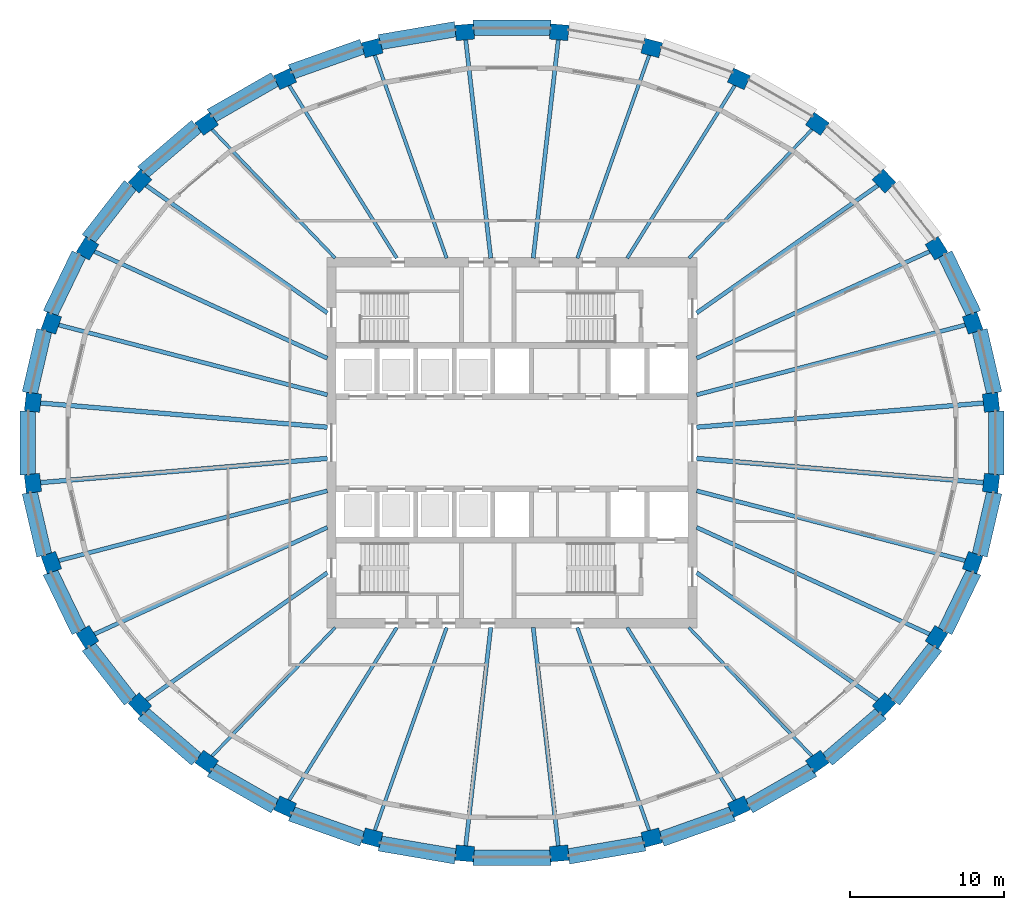
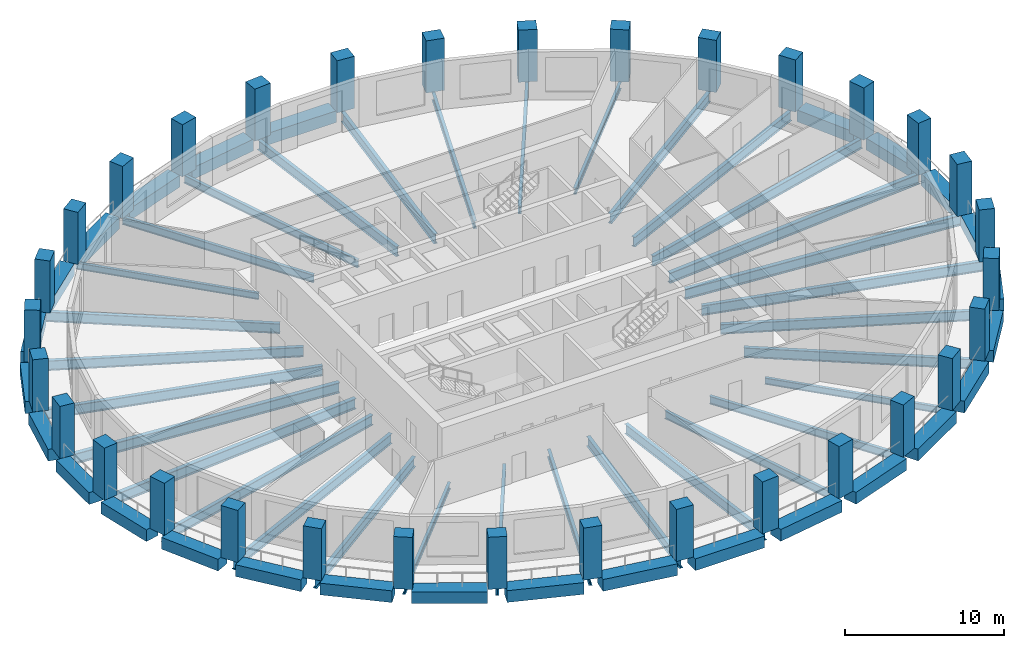
# One storey, part 1 of 11: 59 beams, 32 columns.
"""IFC4 building model written with IfcOpenShell, lengths in metres."""

from ifc_helpers import new_model, si_unit, direction, frame, origin, origin_2d, place, context, subcontext, project, spatial, rectangle, i_section, extrude, material, material_profile, profile_set, type_object, element, save


model = new_model("IFC4")

# Units and contexts
model_context = context("Model", 3, precision=1e-05, world=origin(), true_north=direction((0.0, 1.0)))
body_context = subcontext(model_context, "Body", "Model", "MODEL_VIEW")
ifc_project = project(units=[si_unit("LENGTHUNIT", "METRE"), si_unit("AREAUNIT", "SQUARE_METRE"), si_unit("VOLUMEUNIT", "CUBIC_METRE"), si_unit("PLANEANGLEUNIT", "RADIAN"), si_unit("MASSUNIT", "GRAM", prefix="KILO")], contexts=[model_context])

# Site, building, storey
site_placement = place(None, origin())
site = spatial("IfcSite", under=ifc_project, at=site_placement, CompositionType="ELEMENT")
building_placement = place(site_placement, origin())
building = spatial("IfcBuilding", under=site, at=building_placement, Name="Halqa Exchange Tower", CompositionType="ELEMENT")
storey_placement = place(building_placement, frame((0.0, 0.0, 234.89990234375)))
storey = spatial("IfcBuildingStorey", under=building, at=storey_placement, Name="L54", CompositionType="ELEMENT", Elevation=234.89990234375)

# Columns
ifc_material_1 = material(Name="Concrete C60/75", Category="concrete")
ifc_material_profile_1 = material_profile(ifc_material_1, rectangle(XDim=1.199951171875, YDim=1.0, at=origin_2d()), Name="1200 x 1000")
ifc_profile_set_1 = profile_set([ifc_material_profile_1], Name="Concrete C60/75")
column_type = type_object("IfcColumnType", Name="RC ring column 1200 x 1000 C60/75", PredefinedType="COLUMN", material=ifc_profile_set_1)
for number, where, z_axis, x_axis, name in (
    (1, (31.060302734375, 2.6220703125, 0.0), (0.0, 0.0, 1.0), (-0.114153454138, 0.993463129114, 0.0), "Ring column 1"),
    (2, (29.86669921875, 7.765625, 0.0), (0.0, 0.0, 1.0), (-0.333624233576, 0.942706142321, 0.0), "Ring column 2"),
    (3, (27.525146484375, 12.61083984375, 0.0), (0.0, 0.0, 1.0), (-0.529147901095, 0.848529609835, 0.0), "Ring column 3"),
    (4, (24.1259765625, 16.97119140625, 0.0), (0.0, 0.0, 1.0), (-0.691578612608, 0.722301199351, 0.0), "Ring column 4"),
    (5, (19.7998046875, 20.679443359375, 0.0), (0.0, 0.0, 1.0), (-0.817904771313, 0.575353617407, 0.0), "Ring column 5"),
    (6, (14.71240234375, 23.593017578125, 0.0), (0.0, 0.0, 1.0), (-0.909125641902, 0.416521988898, 0.0), "Ring column 6"),
    (7, (9.059814453125, 25.60009765625, 0.0), (0.0, 0.0, 1.0), (-0.967819503571, 0.251645402317, 0.0), "Ring column 7"),
    (8, (3.05908203125, 26.623046875, 0.0), (0.0, 0.0, 1.0), (-0.996455518985, 0.084121333105, 0.0), "Ring column 8"),
    (9, (-3.05908203125, 26.623046875, 0.0), (0.0, 0.0, 1.0), (-0.996455518985, -0.084121333105, 0.0), "Ring column 9"),
    (10, (-9.059814453125, 25.60009765625, 0.0), (0.0, 0.0, 1.0), (-0.967819503571, -0.251645402317, 0.0), "Ring column 10"),
    (11, (-14.71240234375, 23.593017578125, 0.0), (0.0, 0.0, 1.0), (-0.909125641902, -0.416521988898, 0.0), "Ring column 11"),
    (12, (-19.7998046875, 20.679443359375, 0.0), (0.0, 0.0, 1.0), (-0.817904771313, -0.575353617407, 0.0), "Ring column 12"),
    (13, (-24.1259765625, 16.97119140625, 0.0), (0.0, 0.0, 1.0), (-0.691578612608, -0.722301199351, 0.0), "Ring column 13"),
    (14, (-27.525146484375, 12.61083984375, 0.0), (0.0, 0.0, 1.0), (-0.529147901095, -0.848529609835, 0.0), "Ring column 14"),
    (15, (-29.86669921875, 7.765625, 0.0), (0.0, 0.0, 1.0), (-0.333624233576, -0.942706142321, 0.0), "Ring column 15"),
    (16, (-31.060302734375, 2.6220703125, 0.0), (0.0, 0.0, 1.0), (-0.114153454138, -0.993463129114, 0.0), "Ring column 16"),
    (17, (-31.060302734375, -2.6220703125, 0.0), (0.0, 0.0, 1.0), (0.114153454138, -0.993463129114, 0.0), "Ring column 17"),
    (18, (-29.86669921875, -7.765625, 0.0), (0.0, 0.0, 1.0), (0.333624233576, -0.942706142321, 0.0), "Ring column 18"),
    (19, (-27.525146484375, -12.61083984375, 0.0), (0.0, 0.0, 1.0), (0.529147901095, -0.848529609835, 0.0), "Ring column 19"),
    (20, (-24.1259765625, -16.97119140625, 0.0), (0.0, 0.0, 1.0), (0.691578612608, -0.722301199351, 0.0), "Ring column 20"),
    (21, (-19.7998046875, -20.679443359375, 0.0), (0.0, 0.0, 1.0), (0.817904771313, -0.575353617407, 0.0), "Ring column 21"),
    (22, (-14.71240234375, -23.593017578125, 0.0), (0.0, 0.0, 1.0), (0.909125641902, -0.416521988898, 0.0), "Ring column 22"),
    (23, (-9.059814453125, -25.60009765625, 0.0), (0.0, 0.0, 1.0), (0.967819503571, -0.251645402317, 0.0), "Ring column 23"),
    (24, (-3.05908203125, -26.623046875, 0.0), (0.0, 0.0, 1.0), (0.996455518985, -0.084121333105, 0.0), "Ring column 24"),
    (25, (3.05908203125, -26.623046875, 0.0), (0.0, 0.0, 1.0), (0.996455518985, 0.084121333105, 0.0), "Ring column 25"),
    (26, (9.059814453125, -25.60009765625, 0.0), (0.0, 0.0, 1.0), (0.967819503571, 0.251645402317, 0.0), "Ring column 26"),
    (27, (14.71240234375, -23.593017578125, 0.0), (0.0, 0.0, 1.0), (0.909125641902, 0.416521988898, 0.0), "Ring column 27"),
    (28, (19.7998046875, -20.679443359375, 0.0), (0.0, 0.0, 1.0), (0.817904771313, 0.575353617407, 0.0), "Ring column 28"),
    (29, (24.1259765625, -16.97119140625, 0.0), (0.0, 0.0, 1.0), (0.691578612608, 0.722301199351, 0.0), "Ring column 29"),
    (30, (27.525146484375, -12.61083984375, 0.0), (0.0, 0.0, 1.0), (0.529147901095, 0.848529609835, 0.0), "Ring column 30"),
    (31, (29.86669921875, -7.765625, 0.0), (0.0, 0.0, 1.0), (0.333624233576, 0.942706142321, 0.0), "Ring column 31"),
    (32, (31.060302734375, -2.6220703125, 0.0), (0.0, 0.0, 1.0), (0.114153454138, 0.993463129114, 0.0), "Ring column 32"),
):
    element("IfcColumn", number, at=place(storey_placement, frame(where, z_axis=z_axis, x_axis=x_axis)), inside=storey, type_object=column_type, Name=name, PredefinedType="COLUMN", context=body_context, shape_type="SweptSolid", body=[
        extrude(rectangle(XDim=1.199951171875, YDim=1.0, at=origin_2d()), origin(), (0.0, 0.0, 1.0), 4.0),
    ])

# Beams
ifc_material_2 = material(Name="Steel S355", Category="steel")
ifc_material_profile_2 = material_profile(ifc_material_2, i_section(OverallWidth=0.300048828125, OverallDepth=0.800048828125, WebThickness=0.017578125, FlangeThickness=0.032958984375, FilletRadius=0.030029296875, at=origin_2d()), Name="HEB 800")
ifc_profile_set_2 = profile_set([ifc_material_profile_2], Name="Steel S355")
beam_type_1 = type_object("IfcBeamType", Name="Floor beam HEB 800", PredefinedType="BEAM", material=ifc_profile_set_2)
for number, where, z_axis, x_axis, name in (
    (33, (11.972412109375, 1.0107421875, -0.699951171875), (0.996455378733, 0.084122994438, 0.0), (-0.084122994438, 0.996455378733, 0.0), "Radial beam 1"),
    (34, (-11.972412109375, 1.0107421875, -0.699951171875), (-0.996455378733, 0.084122994438, 0.0), (-0.084122994438, -0.996455378733, 0.0), "Radial beam 16"),
    (35, (-11.972412109375, -1.0107421875, -0.699951171875), (-0.996455378733, -0.084122994438, 0.0), (0.084122994438, -0.996455378733, 0.0), "Radial beam 17"),
    (36, (11.972412109375, -1.0107421875, -0.699951171875), (0.996455378733, -0.084122994438, 0.0), (0.084122994438, 0.996455378733, 0.0), "Radial beam 32"),
):
    element("IfcBeam", number, at=place(storey_placement, frame(where, z_axis=z_axis, x_axis=x_axis)), inside=storey, type_object=beam_type_1, Name=name, PredefinedType="BEAM", context=body_context, shape_type="SweptSolid", body=[
        extrude(i_section(OverallWidth=0.300048828125, OverallDepth=0.800048828125, WebThickness=0.017578125, FlangeThickness=0.032958984375, FilletRadius=0.030029296875, at=origin_2d()), origin(), (0.0, 0.0, 1.0), 19.12548828125),
    ])
ifc_material_profile_3 = material_profile(ifc_material_2, i_section(OverallWidth=0.199951171875, OverallDepth=0.5, WebThickness=0.01025390625, FlangeThickness=0.01611328125, FilletRadius=0.02099609375, at=origin_2d()), Name="IPE 500")
ifc_profile_set_3 = profile_set([ifc_material_profile_3], Name="Steel S355")
beam_type_2 = type_object("IfcBeamType", Name="Floor beam IPE 500", PredefinedType="BEAM", material=ifc_profile_set_3)
for number, where, z_axis, x_axis, name in (
    (37, (11.46337890625, 11.972900390625, -0.5498046875), (0.691589578554, 0.722290699674, 0.0), (-0.722290699674, 0.691589578554, 0.0), "Radial beam 5"),
    (38, (-11.46337890625, 11.972900390625, -0.5498046875), (-0.691589578554, 0.722290699674, 0.0), (-0.722290699674, -0.691589578554, 0.0), "Radial beam 12"),
    (39, (-11.46337890625, -11.972900390625, -0.5498046875), (-0.691589578554, -0.722290699674, 0.0), (0.722290699674, -0.691589578554, 0.0), "Radial beam 21"),
    (40, (11.46337890625, -11.972900390625, -0.5498046875), (0.691589578554, -0.722290699674, 0.0), (0.722290699674, 0.691589578554, 0.0), "Radial beam 28"),
):
    element("IfcBeam", number, at=place(storey_placement, frame(where, z_axis=z_axis, x_axis=x_axis)), inside=storey, type_object=beam_type_2, Name=name, PredefinedType="BEAM", context=body_context, shape_type="SweptSolid", body=[
        extrude(i_section(OverallWidth=0.199951171875, OverallDepth=0.5, WebThickness=0.01025390625, FlangeThickness=0.01611328125, FilletRadius=0.02099609375, at=origin_2d()), origin(), (0.0, 0.0, 1.0), 11.991943359375),
    ])
ifc_material_profile_4 = material_profile(ifc_material_2, i_section(OverallWidth=0.219970703125, OverallDepth=0.60009765625, WebThickness=0.011962890625, FlangeThickness=0.01904296875, FilletRadius=0.02392578125, at=origin_2d()), Name="IPE 600")
ifc_profile_set_4 = profile_set([ifc_material_profile_4], Name="Steel S355")
beam_type_3 = type_object("IfcBeamType", Name="Floor beam IPE 600", PredefinedType="BEAM", material=ifc_profile_set_4)
beam_1_placement = place(storey_placement, frame((7.466064453125, 11.972412109375, -0.599853515625), z_axis=(0.529130437453, 0.848540500012, 0.0), x_axis=(-0.848540500012, 0.529130437453, 0.0)))
element("IfcBeam", 41, at=beam_1_placement, inside=storey, type_object=beam_type_3, Name="Radial beam 6", PredefinedType="BEAM", context=body_context, shape_type="SweptSolid", body=[
    extrude(i_section(OverallWidth=0.219970703125, OverallDepth=0.60009765625, WebThickness=0.011962890625, FlangeThickness=0.01904296875, FilletRadius=0.02392578125, at=origin_2d()), origin(), (0.0, 0.0, 1.0), 13.623779296875),
])
for number, where, z_axis, x_axis, name in (
    (42, (4.23681640625, 11.9716796875, -0.599853515625), (0.333629022413, 0.942704447536, 0.0), (-0.942704447536, 0.333629022413, 0.0), "Radial beam 7"),
    (43, (-4.23681640625, 11.9716796875, -0.599853515625), (-0.333629022413, 0.942704447536, 0.0), (-0.942704447536, -0.333629022413, 0.0), "Radial beam 10"),
):
    element("IfcBeam", number, at=place(storey_placement, frame(where, z_axis=z_axis, x_axis=x_axis)), inside=storey, type_object=beam_type_3, Name=name, PredefinedType="BEAM", context=body_context, shape_type="SweptSolid", body=[
        extrude(i_section(OverallWidth=0.219970703125, OverallDepth=0.60009765625, WebThickness=0.011962890625, FlangeThickness=0.01904296875, FilletRadius=0.02392578125, at=origin_2d()), origin(), (0.0, 0.0, 1.0), 14.380126953125),
    ])
for number, where, z_axis, x_axis, name in (
    (44, (-7.466064453125, 11.972412109375, -0.599853515625), (-0.529130437453, 0.848540500012, 0.0), (-0.848540500012, -0.529130437453, 0.0), "Radial beam 11"),
    (45, (-7.466064453125, -11.972412109375, -0.599853515625), (-0.529130437453, -0.848540500012, 0.0), (0.848540500012, -0.529130437453, 0.0), "Radial beam 22"),
):
    element("IfcBeam", number, at=place(storey_placement, frame(where, z_axis=z_axis, x_axis=x_axis)), inside=storey, type_object=beam_type_3, Name=name, PredefinedType="BEAM", context=body_context, shape_type="SweptSolid", body=[
        extrude(i_section(OverallWidth=0.219970703125, OverallDepth=0.60009765625, WebThickness=0.011962890625, FlangeThickness=0.01904296875, FilletRadius=0.02392578125, at=origin_2d()), origin(), (0.0, 0.0, 1.0), 13.623779296875),
    ])
for number, where, z_axis, x_axis, name in (
    (46, (-4.23681640625, -11.9716796875, -0.599853515625), (-0.333629022413, -0.942704447536, 0.0), (0.942704447536, -0.333629022413, 0.0), "Radial beam 23"),
    (47, (4.23681640625, -11.9716796875, -0.599853515625), (0.333629022413, -0.942704447536, 0.0), (0.942704447536, 0.333629022413, 0.0), "Radial beam 26"),
):
    element("IfcBeam", number, at=place(storey_placement, frame(where, z_axis=z_axis, x_axis=x_axis)), inside=storey, type_object=beam_type_3, Name=name, PredefinedType="BEAM", context=body_context, shape_type="SweptSolid", body=[
        extrude(i_section(OverallWidth=0.219970703125, OverallDepth=0.60009765625, WebThickness=0.011962890625, FlangeThickness=0.01904296875, FilletRadius=0.02392578125, at=origin_2d()), origin(), (0.0, 0.0, 1.0), 14.380126953125),
    ])
beam_2_placement = place(storey_placement, frame((7.466064453125, -11.972412109375, -0.599853515625), z_axis=(0.529130437453, -0.848540500012, 0.0), x_axis=(0.848540500012, 0.529130437453, 0.0)))
element("IfcBeam", 48, at=beam_2_placement, inside=storey, type_object=beam_type_3, Name="Radial beam 27", PredefinedType="BEAM", context=body_context, shape_type="SweptSolid", body=[
    extrude(i_section(OverallWidth=0.219970703125, OverallDepth=0.60009765625, WebThickness=0.011962890625, FlangeThickness=0.01904296875, FilletRadius=0.02392578125, at=origin_2d()), origin(), (0.0, 0.0, 1.0), 13.623779296875),
])
ifc_material_profile_5 = material_profile(ifc_material_2, i_section(OverallWidth=0.264892578125, OverallDepth=0.7529296875, WebThickness=0.01318359375, FlangeThickness=0.01708984375, FilletRadius=0.01708984375, at=origin_2d()), Name="IPE 750x147")
ifc_profile_set_5 = profile_set([ifc_material_profile_5], Name="Steel S355")
beam_type_4 = type_object("IfcBeamType", Name="Floor beam IPE 750x147", PredefinedType="BEAM", material=ifc_profile_set_5)
beam_3_placement = place(storey_placement, frame((11.972412109375, 5.485107421875, -0.676513671875), z_axis=(0.909127135445, 0.416518728989, 0.0), x_axis=(-0.416518728989, 0.909127135445, 0.0)))
element("IfcBeam", 49, at=beam_3_placement, inside=storey, type_object=beam_type_4, Name="Radial beam 3", PredefinedType="BEAM", context=body_context, shape_type="SweptSolid", body=[
    extrude(i_section(OverallWidth=0.264892578125, OverallDepth=0.7529296875, WebThickness=0.01318359375, FlangeThickness=0.01708984375, FilletRadius=0.01708984375, at=origin_2d()), origin(), (0.0, 0.0, 1.0), 17.063232421875),
])
beam_4_placement = place(storey_placement, frame((11.97216796875, 8.421630859375, -0.676513671875), z_axis=(0.817906711766, 0.57535085891, 0.0), x_axis=(-0.57535085891, 0.817906711766, 0.0)))
element("IfcBeam", 50, at=beam_4_placement, inside=storey, type_object=beam_type_4, Name="Radial beam 4", PredefinedType="BEAM", context=body_context, shape_type="SweptSolid", body=[
    extrude(i_section(OverallWidth=0.264892578125, OverallDepth=0.7529296875, WebThickness=0.01318359375, FlangeThickness=0.01708984375, FilletRadius=0.01708984375, at=origin_2d()), origin(), (0.0, 0.0, 1.0), 14.80712890625),
])
for number, where, z_axis, x_axis, name in (
    (51, (1.375732421875, 11.972900390625, -0.676513671875), (0.114161028544, 0.993462258751, 0.0), (-0.993462258751, 0.114161028544, 0.0), "Radial beam 8"),
    (52, (-1.375732421875, 11.972900390625, -0.676513671875), (-0.114161028544, 0.993462258751, 0.0), (-0.993462258751, -0.114161028544, 0.0), "Radial beam 9"),
):
    element("IfcBeam", number, at=place(storey_placement, frame(where, z_axis=z_axis, x_axis=x_axis)), inside=storey, type_object=beam_type_4, Name=name, PredefinedType="BEAM", context=body_context, shape_type="SweptSolid", body=[
        extrude(i_section(OverallWidth=0.264892578125, OverallDepth=0.7529296875, WebThickness=0.01318359375, FlangeThickness=0.01708984375, FilletRadius=0.01708984375, at=origin_2d()), origin(), (0.0, 0.0, 1.0), 14.66845703125),
    ])
beam_5_placement = place(storey_placement, frame((-11.97216796875, 8.421630859375, -0.676513671875), z_axis=(-0.817906711766, 0.57535085891, 0.0), x_axis=(-0.57535085891, -0.817906711766, 0.0)))
element("IfcBeam", 53, at=beam_5_placement, inside=storey, type_object=beam_type_4, Name="Radial beam 13", PredefinedType="BEAM", context=body_context, shape_type="SweptSolid", body=[
    extrude(i_section(OverallWidth=0.264892578125, OverallDepth=0.7529296875, WebThickness=0.01318359375, FlangeThickness=0.01708984375, FilletRadius=0.01708984375, at=origin_2d()), origin(), (0.0, 0.0, 1.0), 14.80712890625),
])
for number, where, z_axis, x_axis, name in (
    (54, (-11.972412109375, 5.485107421875, -0.676513671875), (-0.909127135445, 0.416518728989, 0.0), (-0.416518728989, -0.909127135445, 0.0), "Radial beam 14"),
    (55, (-11.972412109375, -5.485107421875, -0.676513671875), (-0.909127135445, -0.416518728989, 0.0), (0.416518728989, -0.909127135445, 0.0), "Radial beam 19"),
):
    element("IfcBeam", number, at=place(storey_placement, frame(where, z_axis=z_axis, x_axis=x_axis)), inside=storey, type_object=beam_type_4, Name=name, PredefinedType="BEAM", context=body_context, shape_type="SweptSolid", body=[
        extrude(i_section(OverallWidth=0.264892578125, OverallDepth=0.7529296875, WebThickness=0.01318359375, FlangeThickness=0.01708984375, FilletRadius=0.01708984375, at=origin_2d()), origin(), (0.0, 0.0, 1.0), 17.063232421875),
    ])
beam_6_placement = place(storey_placement, frame((-11.97216796875, -8.421630859375, -0.676513671875), z_axis=(-0.817906711766, -0.57535085891, 0.0), x_axis=(0.57535085891, -0.817906711766, 0.0)))
element("IfcBeam", 56, at=beam_6_placement, inside=storey, type_object=beam_type_4, Name="Radial beam 20", PredefinedType="BEAM", context=body_context, shape_type="SweptSolid", body=[
    extrude(i_section(OverallWidth=0.264892578125, OverallDepth=0.7529296875, WebThickness=0.01318359375, FlangeThickness=0.01708984375, FilletRadius=0.01708984375, at=origin_2d()), origin(), (0.0, 0.0, 1.0), 14.80712890625),
])
for number, where, z_axis, x_axis, name in (
    (57, (-1.375732421875, -11.972900390625, -0.676513671875), (-0.114161028544, -0.993462258751, 0.0), (0.993462258751, -0.114161028544, 0.0), "Radial beam 24"),
    (58, (1.375732421875, -11.972900390625, -0.676513671875), (0.114161028544, -0.993462258751, 0.0), (0.993462258751, 0.114161028544, 0.0), "Radial beam 25"),
):
    element("IfcBeam", number, at=place(storey_placement, frame(where, z_axis=z_axis, x_axis=x_axis)), inside=storey, type_object=beam_type_4, Name=name, PredefinedType="BEAM", context=body_context, shape_type="SweptSolid", body=[
        extrude(i_section(OverallWidth=0.264892578125, OverallDepth=0.7529296875, WebThickness=0.01318359375, FlangeThickness=0.01708984375, FilletRadius=0.01708984375, at=origin_2d()), origin(), (0.0, 0.0, 1.0), 14.66845703125),
    ])
beam_7_placement = place(storey_placement, frame((11.97216796875, -8.421630859375, -0.676513671875), z_axis=(0.817906711766, -0.57535085891, 0.0), x_axis=(0.57535085891, 0.817906711766, 0.0)))
element("IfcBeam", 59, at=beam_7_placement, inside=storey, type_object=beam_type_4, Name="Radial beam 29", PredefinedType="BEAM", context=body_context, shape_type="SweptSolid", body=[
    extrude(i_section(OverallWidth=0.264892578125, OverallDepth=0.7529296875, WebThickness=0.01318359375, FlangeThickness=0.01708984375, FilletRadius=0.01708984375, at=origin_2d()), origin(), (0.0, 0.0, 1.0), 14.80712890625),
])
beam_8_placement = place(storey_placement, frame((11.972412109375, -5.485107421875, -0.676513671875), z_axis=(0.909127135445, -0.416518728989, 0.0), x_axis=(0.416518728989, 0.909127135445, 0.0)))
element("IfcBeam", 60, at=beam_8_placement, inside=storey, type_object=beam_type_4, Name="Radial beam 30", PredefinedType="BEAM", context=body_context, shape_type="SweptSolid", body=[
    extrude(i_section(OverallWidth=0.264892578125, OverallDepth=0.7529296875, WebThickness=0.01318359375, FlangeThickness=0.01708984375, FilletRadius=0.01708984375, at=origin_2d()), origin(), (0.0, 0.0, 1.0), 17.063232421875),
])
ifc_material_profile_6 = material_profile(ifc_material_2, i_section(OverallWidth=0.26806640625, OverallDepth=0.77001953125, WebThickness=0.015625, FlangeThickness=0.025390625, FilletRadius=0.01708984375, at=origin_2d()), Name="IPE 750x196")
ifc_profile_set_6 = profile_set([ifc_material_profile_6], Name="Steel S355")
beam_type_5 = type_object("IfcBeamType", Name="Floor beam IPE 750x196", PredefinedType="BEAM", material=ifc_profile_set_6)
for number, where, z_axis, x_axis, name in (
    (61, (11.97119140625, 3.112548828125, -0.684814453125), (0.967819542674, 0.251645251931, 0.0), (-0.251645251931, 0.967819542674, 0.0), "Radial beam 2"),
    (62, (-11.97119140625, 3.112548828125, -0.684814453125), (-0.967819542674, 0.251645251931, 0.0), (-0.251645251931, -0.967819542674, 0.0), "Radial beam 15"),
    (63, (-11.97119140625, -3.112548828125, -0.684814453125), (-0.967819542674, -0.251645251931, 0.0), (0.251645251931, -0.967819542674, 0.0), "Radial beam 18"),
    (64, (11.97119140625, -3.112548828125, -0.684814453125), (0.967819542674, -0.251645251931, 0.0), (0.251645251931, 0.967819542674, 0.0), "Radial beam 31"),
):
    element("IfcBeam", number, at=place(storey_placement, frame(where, z_axis=z_axis, x_axis=x_axis)), inside=storey, type_object=beam_type_5, Name=name, PredefinedType="BEAM", context=body_context, shape_type="SweptSolid", body=[
        extrude(i_section(OverallWidth=0.26806640625, OverallDepth=0.77001953125, WebThickness=0.015625, FlangeThickness=0.025390625, FilletRadius=0.01708984375, at=origin_2d()), origin(), (0.0, 0.0, 1.0), 18.454833984375),
    ])
ifc_material_profile_7 = material_profile(ifc_material_1, rectangle(XDim=1.0, YDim=0.89990234375, at=origin_2d()), Name="1000 x 900")
ifc_profile_set_7 = profile_set([ifc_material_profile_7], Name="Concrete C60/75")
beam_type_6 = type_object("IfcBeamType", Name="RC spandrel beam 1000 x 900 C60/75", PredefinedType="SPANDREL", material=ifc_profile_set_7)
beam_9_placement = place(storey_placement, frame((31.2705078125, 3.21240234375, -0.449951171875), z_axis=(-0.226060530608, 0.974113256506, 0.0), x_axis=(-0.974113256506, -0.226060530608, 0.0)))
element("IfcBeam", 65, at=beam_9_placement, inside=storey, type_object=beam_type_6, Name="Spandrel 1", PredefinedType="SPANDREL", context=body_context, shape_type="SweptSolid", body=[
    extrude(rectangle(XDim=1.0, YDim=0.89990234375, at=origin_2d()), origin(), (0.0, 0.0, 1.0), 4.18603515625),
])
beam_10_placement = place(storey_placement, frame((29.94384765625, 8.368408203125, -0.449951171875), z_axis=(-0.435107144785, 0.900378682865, 0.0), x_axis=(-0.900378682865, -0.435107144785, 0.0)))
element("IfcBeam", 66, at=beam_10_placement, inside=storey, type_object=beam_type_6, Name="Spandrel 2", PredefinedType="SPANDREL", context=body_context, shape_type="SweptSolid", body=[
    extrude(rectangle(XDim=1.0, YDim=0.89990234375, at=origin_2d()), origin(), (0.0, 0.0, 1.0), 4.28955078125),
])
beam_11_placement = place(storey_placement, frame((2.519287109375, 26.914794921875, -0.449951171875), z_axis=(-1.0, 0.0, 0.0), x_axis=(0.0, -1.0, 0.0)))
element("IfcBeam", 67, at=beam_11_placement, inside=storey, type_object=beam_type_6, Name="Spandrel 8", PredefinedType="SPANDREL", context=body_context, shape_type="SweptSolid", body=[
    extrude(rectangle(XDim=1.0, YDim=0.89990234375, at=origin_2d()), origin(), (0.0, 0.0, 1.0), 5.03857421875),
])
beam_12_placement = place(storey_placement, frame((-3.658203125, 26.818603515625, -0.449951171875), z_axis=(-0.985770147747, -0.16809882751, 0.0), x_axis=(0.16809882751, -0.985770147747, 0.0)))
element("IfcBeam", 68, at=beam_12_placement, inside=storey, type_object=beam_type_6, Name="Spandrel 9", PredefinedType="SPANDREL", context=body_context, shape_type="SweptSolid", body=[
    extrude(rectangle(XDim=1.0, YDim=0.89990234375, at=origin_2d()), origin(), (0.0, 0.0, 1.0), 5.00634765625),
])
beam_13_placement = place(storey_placement, frame((-9.70068359375, 25.688232421875, -0.449951171875), z_axis=(-0.942371691237, -0.334567774234, 0.0), x_axis=(0.334567774234, -0.942371691237, 0.0)))
element("IfcBeam", 69, at=beam_13_placement, inside=storey, type_object=beam_type_6, Name="Spandrel 10", PredefinedType="SPANDREL", context=body_context, shape_type="SweptSolid", body=[
    extrude(rectangle(XDim=1.0, YDim=0.89990234375, at=origin_2d()), origin(), (0.0, 0.0, 1.0), 4.916015625),
])
beam_14_placement = place(storey_placement, frame((-15.372314453125, 23.566162109375, -0.449951171875), z_axis=(-0.867742640568, -0.497013792304, 0.0), x_axis=(0.497013792304, -0.867742640568, 0.0)))
element("IfcBeam", 70, at=beam_14_placement, inside=storey, type_object=beam_type_6, Name="Spandrel 11", PredefinedType="SPANDREL", context=body_context, shape_type="SweptSolid", body=[
    extrude(rectangle(XDim=1.0, YDim=0.89990234375, at=origin_2d()), origin(), (0.0, 0.0, 1.0), 4.777099609375),
])
beam_15_placement = place(storey_placement, frame((-20.452880859375, 20.5322265625, -0.449951171875), z_axis=(-0.759252865995, -0.65079573253, 0.0), x_axis=(0.65079573253, -0.759252865995, 0.0)))
element("IfcBeam", 71, at=beam_15_placement, inside=storey, type_object=beam_type_6, Name="Spandrel 12", PredefinedType="SPANDREL", context=body_context, shape_type="SweptSolid", body=[
    extrude(rectangle(XDim=1.0, YDim=0.89990234375, at=origin_2d()), origin(), (0.0, 0.0, 1.0), 4.6123046875),
])
beam_16_placement = place(storey_placement, frame((-24.744140625, 16.70361328125, -0.449951171875), z_axis=(-0.61480064822, -0.788682548906, 0.0), x_axis=(0.788682548906, -0.61480064822, 0.0)))
element("IfcBeam", 72, at=beam_16_placement, inside=storey, type_object=beam_type_6, Name="Spandrel 13", PredefinedType="SPANDREL", context=body_context, shape_type="SweptSolid", body=[
    extrude(rectangle(XDim=1.0, YDim=0.89990234375, at=origin_2d()), origin(), (0.0, 0.0, 1.0), 4.439697265625),
])
beam_17_placement = place(storey_placement, frame((-28.077392578125, 12.230712890625, -0.449951171875), z_axis=(-0.435107144785, -0.900378682865, 0.0), x_axis=(0.900378682865, -0.435107144785, 0.0)))
element("IfcBeam", 73, at=beam_17_placement, inside=storey, type_object=beam_type_6, Name="Spandrel 14", PredefinedType="SPANDREL", context=body_context, shape_type="SweptSolid", body=[
    extrude(rectangle(XDim=1.0, YDim=0.89990234375, at=origin_2d()), origin(), (0.0, 0.0, 1.0), 4.28955078125),
])
beam_18_placement = place(storey_placement, frame((-30.32421875, 7.2900390625, -0.449951171875), z_axis=(-0.226060530608, -0.974113256506, 0.0), x_axis=(0.974113256506, -0.226060530608, 0.0)))
element("IfcBeam", 74, at=beam_18_placement, inside=storey, type_object=beam_type_6, Name="Spandrel 15", PredefinedType="SPANDREL", context=body_context, shape_type="SweptSolid", body=[
    extrude(rectangle(XDim=1.0, YDim=0.89990234375, at=origin_2d()), origin(), (0.0, 0.0, 1.0), 4.18603515625),
])
beam_19_placement = place(storey_placement, frame((-31.400634765625, 2.07421875, -0.449951171875), z_axis=(0.0, -1.0, 0.0), x_axis=(1.0, 0.0, 0.0)))
element("IfcBeam", 75, at=beam_19_placement, inside=storey, type_object=beam_type_6, Name="Spandrel 16", PredefinedType="SPANDREL", context=body_context, shape_type="SweptSolid", body=[
    extrude(rectangle(XDim=1.0, YDim=0.89990234375, at=origin_2d()), origin(), (0.0, 0.0, 1.0), 4.1484375),
])
beam_20_placement = place(storey_placement, frame((-31.2705078125, -3.21240234375, -0.449951171875), z_axis=(0.226060530608, -0.974113256506, 0.0), x_axis=(0.974113256506, 0.226060530608, 0.0)))
element("IfcBeam", 76, at=beam_20_placement, inside=storey, type_object=beam_type_6, Name="Spandrel 17", PredefinedType="SPANDREL", context=body_context, shape_type="SweptSolid", body=[
    extrude(rectangle(XDim=1.0, YDim=0.89990234375, at=origin_2d()), origin(), (0.0, 0.0, 1.0), 4.18603515625),
])
beam_21_placement = place(storey_placement, frame((-29.94384765625, -8.368408203125, -0.449951171875), z_axis=(0.435107144785, -0.900378682865, 0.0), x_axis=(0.900378682865, 0.435107144785, 0.0)))
element("IfcBeam", 77, at=beam_21_placement, inside=storey, type_object=beam_type_6, Name="Spandrel 18", PredefinedType="SPANDREL", context=body_context, shape_type="SweptSolid", body=[
    extrude(rectangle(XDim=1.0, YDim=0.89990234375, at=origin_2d()), origin(), (0.0, 0.0, 1.0), 4.28955078125),
])
beam_22_placement = place(storey_placement, frame((-27.4736328125, -13.2021484375, -0.449951171875), z_axis=(0.61480064822, -0.788682548906, 0.0), x_axis=(0.788682548906, 0.61480064822, 0.0)))
element("IfcBeam", 78, at=beam_22_placement, inside=storey, type_object=beam_type_6, Name="Spandrel 19", PredefinedType="SPANDREL", context=body_context, shape_type="SweptSolid", body=[
    extrude(rectangle(XDim=1.0, YDim=0.89990234375, at=origin_2d()), origin(), (0.0, 0.0, 1.0), 4.439697265625),
])
beam_23_placement = place(storey_placement, frame((-23.954833984375, -17.530517578125, -0.449951171875), z_axis=(0.759252865995, -0.65079573253, 0.0), x_axis=(0.65079573253, 0.759252865995, 0.0)))
element("IfcBeam", 79, at=beam_23_placement, inside=storey, type_object=beam_type_6, Name="Spandrel 20", PredefinedType="SPANDREL", context=body_context, shape_type="SweptSolid", body=[
    extrude(rectangle(XDim=1.0, YDim=0.89990234375, at=origin_2d()), origin(), (0.0, 0.0, 1.0), 4.6123046875),
])
beam_24_placement = place(storey_placement, frame((-19.517578125, -21.19189453125, -0.449951171875), z_axis=(0.867742640568, -0.497013792304, 0.0), x_axis=(0.497013792304, 0.867742640568, 0.0)))
element("IfcBeam", 80, at=beam_24_placement, inside=storey, type_object=beam_type_6, Name="Spandrel 21", PredefinedType="SPANDREL", context=body_context, shape_type="SweptSolid", body=[
    extrude(rectangle(XDim=1.0, YDim=0.89990234375, at=origin_2d()), origin(), (0.0, 0.0, 1.0), 4.777099609375),
])
beam_25_placement = place(storey_placement, frame((-14.33349609375, -24.04345703125, -0.449951171875), z_axis=(0.942371691237, -0.334567774234, 0.0), x_axis=(0.334567774234, 0.942371691237, 0.0)))
element("IfcBeam", 81, at=beam_25_placement, inside=storey, type_object=beam_type_6, Name="Spandrel 22", PredefinedType="SPANDREL", context=body_context, shape_type="SweptSolid", body=[
    extrude(rectangle(XDim=1.0, YDim=0.89990234375, at=origin_2d()), origin(), (0.0, 0.0, 1.0), 4.916015625),
])
beam_26_placement = place(storey_placement, frame((-8.59326171875, -25.97705078125, -0.449951171875), z_axis=(0.985770147747, -0.16809882751, 0.0), x_axis=(0.16809882751, 0.985770147747, 0.0)))
element("IfcBeam", 82, at=beam_26_placement, inside=storey, type_object=beam_type_6, Name="Spandrel 23", PredefinedType="SPANDREL", context=body_context, shape_type="SweptSolid", body=[
    extrude(rectangle(XDim=1.0, YDim=0.89990234375, at=origin_2d()), origin(), (0.0, 0.0, 1.0), 5.00634765625),
])
beam_27_placement = place(storey_placement, frame((-2.519287109375, -26.914794921875, -0.449951171875), z_axis=(1.0, 0.0, 0.0), x_axis=(0.0, 1.0, 0.0)))
element("IfcBeam", 83, at=beam_27_placement, inside=storey, type_object=beam_type_6, Name="Spandrel 24", PredefinedType="SPANDREL", context=body_context, shape_type="SweptSolid", body=[
    extrude(rectangle(XDim=1.0, YDim=0.89990234375, at=origin_2d()), origin(), (0.0, 0.0, 1.0), 5.03857421875),
])
beam_28_placement = place(storey_placement, frame((3.658203125, -26.818603515625, -0.449951171875), z_axis=(0.985770147747, 0.16809882751, 0.0), x_axis=(-0.16809882751, 0.985770147747, 0.0)))
element("IfcBeam", 84, at=beam_28_placement, inside=storey, type_object=beam_type_6, Name="Spandrel 25", PredefinedType="SPANDREL", context=body_context, shape_type="SweptSolid", body=[
    extrude(rectangle(XDim=1.0, YDim=0.89990234375, at=origin_2d()), origin(), (0.0, 0.0, 1.0), 5.00634765625),
])
beam_29_placement = place(storey_placement, frame((9.70068359375, -25.688232421875, -0.449951171875), z_axis=(0.942371691237, 0.334567774234, 0.0), x_axis=(-0.334567774234, 0.942371691237, 0.0)))
element("IfcBeam", 85, at=beam_29_placement, inside=storey, type_object=beam_type_6, Name="Spandrel 26", PredefinedType="SPANDREL", context=body_context, shape_type="SweptSolid", body=[
    extrude(rectangle(XDim=1.0, YDim=0.89990234375, at=origin_2d()), origin(), (0.0, 0.0, 1.0), 4.916015625),
])
beam_30_placement = place(storey_placement, frame((15.372314453125, -23.566162109375, -0.449951171875), z_axis=(0.867742640568, 0.497013792304, 0.0), x_axis=(-0.497013792304, 0.867742640568, 0.0)))
element("IfcBeam", 86, at=beam_30_placement, inside=storey, type_object=beam_type_6, Name="Spandrel 27", PredefinedType="SPANDREL", context=body_context, shape_type="SweptSolid", body=[
    extrude(rectangle(XDim=1.0, YDim=0.89990234375, at=origin_2d()), origin(), (0.0, 0.0, 1.0), 4.777099609375),
])
beam_31_placement = place(storey_placement, frame((20.452880859375, -20.5322265625, -0.449951171875), z_axis=(0.759252865995, 0.65079573253, 0.0), x_axis=(-0.65079573253, 0.759252865995, 0.0)))
element("IfcBeam", 87, at=beam_31_placement, inside=storey, type_object=beam_type_6, Name="Spandrel 28", PredefinedType="SPANDREL", context=body_context, shape_type="SweptSolid", body=[
    extrude(rectangle(XDim=1.0, YDim=0.89990234375, at=origin_2d()), origin(), (0.0, 0.0, 1.0), 4.6123046875),
])
beam_32_placement = place(storey_placement, frame((24.744140625, -16.70361328125, -0.449951171875), z_axis=(0.61480064822, 0.788682548906, 0.0), x_axis=(-0.788682548906, 0.61480064822, 0.0)))
element("IfcBeam", 88, at=beam_32_placement, inside=storey, type_object=beam_type_6, Name="Spandrel 29", PredefinedType="SPANDREL", context=body_context, shape_type="SweptSolid", body=[
    extrude(rectangle(XDim=1.0, YDim=0.89990234375, at=origin_2d()), origin(), (0.0, 0.0, 1.0), 4.439697265625),
])
beam_33_placement = place(storey_placement, frame((28.077392578125, -12.230712890625, -0.449951171875), z_axis=(0.435107144785, 0.900378682865, 0.0), x_axis=(-0.900378682865, 0.435107144785, 0.0)))
element("IfcBeam", 89, at=beam_33_placement, inside=storey, type_object=beam_type_6, Name="Spandrel 30", PredefinedType="SPANDREL", context=body_context, shape_type="SweptSolid", body=[
    extrude(rectangle(XDim=1.0, YDim=0.89990234375, at=origin_2d()), origin(), (0.0, 0.0, 1.0), 4.28955078125),
])
beam_34_placement = place(storey_placement, frame((30.32421875, -7.2900390625, -0.449951171875), z_axis=(0.226060530608, 0.974113256506, 0.0), x_axis=(-0.974113256506, 0.226060530608, 0.0)))
element("IfcBeam", 90, at=beam_34_placement, inside=storey, type_object=beam_type_6, Name="Spandrel 31", PredefinedType="SPANDREL", context=body_context, shape_type="SweptSolid", body=[
    extrude(rectangle(XDim=1.0, YDim=0.89990234375, at=origin_2d()), origin(), (0.0, 0.0, 1.0), 4.18603515625),
])
beam_35_placement = place(storey_placement, frame((31.400634765625, -2.07421875, -0.449951171875), z_axis=(0.0, 1.0, 0.0), x_axis=(-1.0, 0.0, 0.0)))
element("IfcBeam", 91, at=beam_35_placement, inside=storey, type_object=beam_type_6, Name="Spandrel 32", PredefinedType="SPANDREL", context=body_context, shape_type="SweptSolid", body=[
    extrude(rectangle(XDim=1.0, YDim=0.89990234375, at=origin_2d()), origin(), (0.0, 0.0, 1.0), 4.1484375),
])

save(model, "model.ifc")
